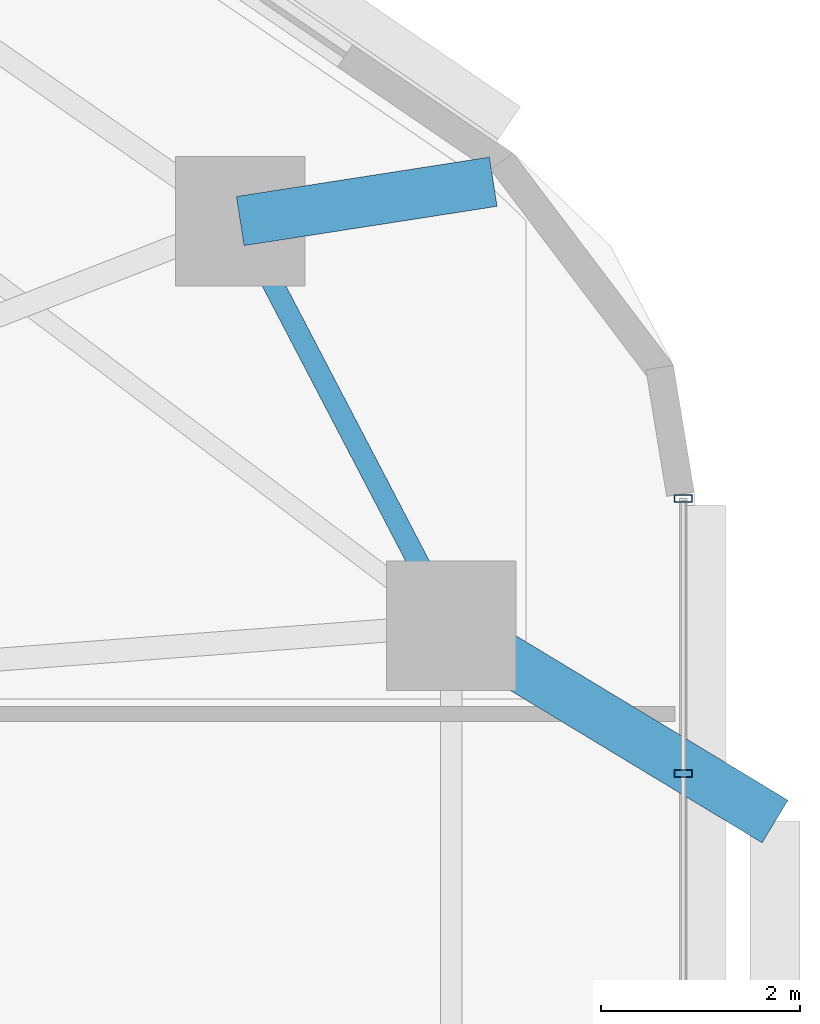
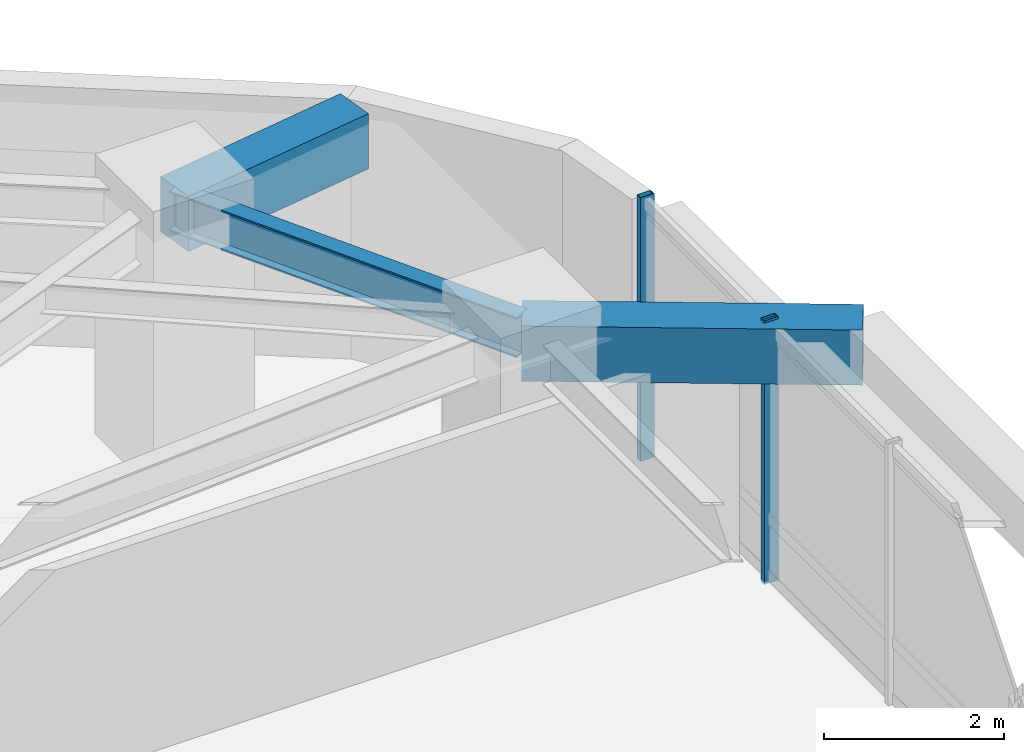
# One storey, part 6 of 14: 3 beams, 2 members, 1 element without a shape of its own.
"""IFC4 building model written with IfcOpenShell, lengths in metres."""

from ifc_helpers import new_model, si_unit, direction, frame, origin, origin_2d, place, context, subcontext, project, spatial, rectangle, hollow_rectangle, i_section, extrude, material, material_profile, profile_set, type_object, element, aggregate, save


model = new_model("IFC4")

# Units and contexts
model_context = context("Model", 3, precision=1e-05, world=origin(), true_north=direction((0.0, 1.0)))
body_context = subcontext(model_context, "Body", "Model", "MODEL_VIEW")
ifc_project = project(units=[si_unit("LENGTHUNIT", "METRE"), si_unit("AREAUNIT", "SQUARE_METRE"), si_unit("VOLUMEUNIT", "CUBIC_METRE"), si_unit("PLANEANGLEUNIT", "RADIAN"), si_unit("MASSUNIT", "GRAM", prefix="KILO")], contexts=[model_context])

# Site, building, storey
site_placement = place(None, origin())
site = spatial("IfcSite", under=ifc_project, at=site_placement, CompositionType="ELEMENT")
building_placement = place(site_placement, origin())
building = spatial("IfcBuilding", under=site, at=building_placement, Name="Zulverin Broadcast Headquarters", CompositionType="ELEMENT")
storey_placement = place(building_placement, frame((0.0, 0.0, 40.199951171875)))
storey = spatial("IfcBuildingStorey", under=building, at=storey_placement, Name="L09", CompositionType="ELEMENT", Elevation=40.199951171875)

# Beams
ifc_material_1 = material(Name="Concrete C40/50", Category="concrete")
ifc_material_profile_1 = material_profile(ifc_material_1, rectangle(XDim=0.5, YDim=0.75, at=origin_2d()), Name="Concrete C40/50", Category="concrete")
ifc_profile_set_1 = profile_set([ifc_material_profile_1], Name="Concrete C40/50")
beam_type_1 = type_object("IfcBeamType", Name="BM-RC-500x750", PredefinedType="BEAM", material=ifc_profile_set_1)
beam_1_placement = place(storey_placement, frame((61.630126953125, 38.298583984375, 3.150146484375), z_axis=(0.988133444256, 0.153597839639, 0.0), x_axis=(-0.153597839639, 0.988133444256, 0.0)))
element("IfcBeam", 1, at=beam_1_placement, inside=storey, type_object=beam_type_1, Name="L10 Plate Overhang Back-Spanned Beam OVR-07", PredefinedType="BEAM", context=body_context, shape_type="SweptSolid", body=[
    extrude(rectangle(XDim=0.5, YDim=0.75, at=origin_2d()), origin(), (0.0, 0.0, 1.0), 2.57177734375),
])
beam_2_placement = place(storey_placement, frame((63.75, 34.235107421875, 3.150146484375), z_axis=(0.855593685746, -0.517647993246, 0.0), x_axis=(0.517647993246, 0.855593685746, 0.0)))
element("IfcBeam", 2, at=beam_2_placement, inside=storey, type_object=beam_type_1, Name="L10 Balcony Column-Framed Cantilever BAL_E-2", PredefinedType="BEAM", context=body_context, shape_type="SweptSolid", body=[
    extrude(rectangle(XDim=0.5, YDim=0.75, at=origin_2d()), origin(), (0.0, 0.0, 1.0), 3.800048828125),
])
ifc_material_2 = material(Name="Structural steel S355JR", Category="steel")
ifc_material_profile_2 = material_profile(ifc_material_2, i_section(OverallWidth=0.2119140625, OverallDepth=0.54443359375, WebThickness=0.0126953125, FlangeThickness=0.021240234375, at=origin_2d()), Name="Structural steel S355JR", Category="steel")
ifc_profile_set_2 = profile_set([ifc_material_profile_2], Name="Structural steel S355JR")
beam_type_2 = type_object("IfcBeamType", Name="BM-UB-533", PredefinedType="SPANDREL", material=ifc_profile_set_2)
beam_3_placement = place(storey_placement, frame((63.75, 34.235107421875, 3.2529296875), z_axis=(-0.462531417359, 0.886602891917, 0.0), x_axis=(-0.886602891917, -0.462531417359, 0.0)))
element("IfcBeam", 3, at=beam_3_placement, inside=storey, type_object=beam_type_2, Name="L09 Perimeter Spandrel Beam SP-06", PredefinedType="SPANDREL", context=body_context, shape_type="SweptSolid", body=[
    extrude(i_section(OverallWidth=0.2119140625, OverallDepth=0.54443359375, WebThickness=0.0126953125, FlangeThickness=0.021240234375, at=origin_2d()), origin(), (0.0, 0.0, 1.0), 4.583251953125),
])

# Curtain wall, members
ifc_material_3 = material(Name="Low-zone ribbon unitised curtain wall", Category="aluminium")
curtain_wall_type = type_object("IfcCurtainWallType", Name="CW-TWR-LOW", PredefinedType="USERDEFINED", material=ifc_material_3)
curtain_wall_placement = place(storey_placement, origin())
curtain_wall = element("IfcCurtainWall", 4, at=curtain_wall_placement, inside=storey, type_object=curtain_wall_type, Name="L09 Unitised Curtain Wall CW-L09-E3", ObjectType="UNITISED CURTAIN WALL", PredefinedType="USERDEFINED")
ifc_material_4 = material(Name="Anodized pale-metal aluminium alloy 6063-T6", Category="aluminium")
ifc_material_profile_3 = material_profile(ifc_material_4, hollow_rectangle(XDim=0.074951171875, YDim=0.179931640625, WallThickness=0.0048828125, at=origin_2d()), Name="Anodized pale-metal aluminium alloy 6063-T6", Category="aluminium")
ifc_profile_set_3 = profile_set([ifc_material_profile_3], Name="Anodized pale-metal aluminium alloy 6063-T6")
member_type = type_object("IfcMemberType", Name="CW-MUL-180", PredefinedType="MULLION", material=ifc_profile_set_3)
member_1_placement = place(storey_placement, frame((66.080078125, 32.7529296875, -0.030029296875), z_axis=(0.0, 0.0, 1.0), x_axis=(0.0, 1.0, 0.0)))
member_1 = element("IfcMember", 5, at=member_1_placement, type_object=member_type, Name="CW-L09-E3 Mullion 06", PredefinedType="MULLION", context=body_context, shape_type="SweptSolid", body=[
    extrude(hollow_rectangle(XDim=0.074951171875, YDim=0.179931640625, WallThickness=0.0048828125, at=origin_2d()), origin(), (0.0, 0.0, 1.0), 3.5849609375),
])
member_2_placement = place(storey_placement, frame((66.080078125, 35.514404296875, -0.030029296875), z_axis=(0.0, 0.0, 1.0), x_axis=(0.0, 1.0, 0.0)))
member_2 = element("IfcMember", 6, at=member_2_placement, type_object=member_type, Name="CW-L09-E3 Mullion 07", PredefinedType="MULLION", context=body_context, shape_type="SweptSolid", body=[
    extrude(hollow_rectangle(XDim=0.074951171875, YDim=0.179931640625, WallThickness=0.0048828125, at=origin_2d()), origin(), (0.0, 0.0, 1.0), 3.5849609375),
])
aggregate(curtain_wall, [member_1, member_2])

save(model, "model.ifc")
